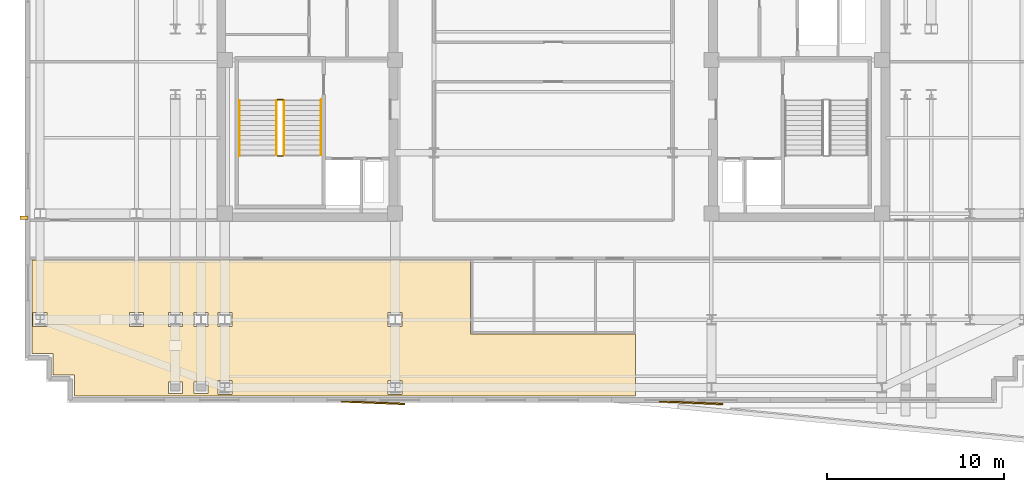
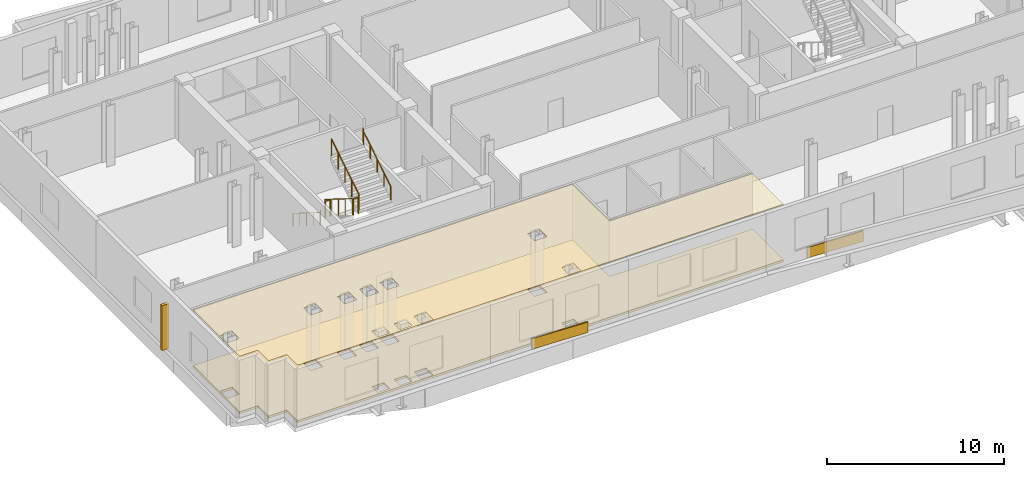
# One storey, part 9 of 11: 6 railings, 4 coverings, 1 shading device.
"""IFC4 building model written with IfcOpenShell, lengths in metres."""

from ifc_helpers import new_model, si_unit, direction, frame, origin, origin_2d, place, context, subcontext, project, spatial, polyline, rectangle, circle, outline, extrude, material, layer, layer_set, type_object, element, save


model = new_model("IFC4")

# Units and contexts
model_context = context("Model", 3, precision=1e-05, world=origin(), true_north=direction((0.0, 1.0)))
body_context = subcontext(model_context, "Body", "Model", "MODEL_VIEW")
ifc_project = project(units=[si_unit("LENGTHUNIT", "METRE"), si_unit("AREAUNIT", "SQUARE_METRE"), si_unit("VOLUMEUNIT", "CUBIC_METRE"), si_unit("PLANEANGLEUNIT", "RADIAN"), si_unit("MASSUNIT", "GRAM", prefix="KILO")], contexts=[model_context])

# Site, building, storey
site_placement = place(None, origin())
site = spatial("IfcSite", under=ifc_project, at=site_placement, CompositionType="ELEMENT")
building_placement = place(site_placement, origin())
building = spatial("IfcBuilding", under=site, at=building_placement, Name="Velakula Bourse", CompositionType="ELEMENT")
storey_placement = place(building_placement, frame((0.0, 0.0, 204.300048828125)))
storey = spatial("IfcBuildingStorey", under=building, at=storey_placement, Name="L55", CompositionType="ELEMENT", Elevation=204.300048828125)

# Coverings
ifc_material_1 = material(Name="Red kilned clay facing brick masonry", Category="masonry")
ifc_layer_1 = layer(ifc_material_1, 0.090087890625, Name="Red kilned clay facing brick masonry", Category="masonry")
ifc_layer_set_1 = layer_set([ifc_layer_1], Name="Red kilned clay facing brick masonry")
covering_type_1 = type_object("IfcCoveringType", Name="COV-BRK-FOLD-90", PredefinedType="CLADDING", material=ifc_layer_set_1)
for number, where, z_axis, x_axis, name in (
    (1, (-10.199951171875, -19.300048828125, 0.0), (0.0, 0.0, 1.0), (0.999158993058, -0.041003738744, 0.0), "L55 Folded Brick Facade Cladding Panel S-B2"),
    (2, (7.800048828125, -19.300048828125, 0.0), (0.0, 0.0, 1.0), (0.999158993058, -0.041003738744, 0.0), "L55 Folded Brick Facade Cladding Panel S-B4"),
):
    element("IfcCovering", number, at=place(storey_placement, frame(where, z_axis=z_axis, x_axis=x_axis)), inside=storey, type_object=covering_type_1, Name=name, PredefinedType="CLADDING", context=body_context, shape_type="SweptSolid", body=[
        extrude(rectangle(XDim=3.60009765625, YDim=0.090087890625, at=origin_2d()), origin(), (0.0, 0.0, 1.0), 0.719970703125),
    ])
ifc_material_2 = material(Name="Mineral-fibre acoustic suspended ceiling tile", Category="mineral")
ifc_layer_2 = layer(ifc_material_2, 0.0400390625, Name="Mineral-fibre acoustic suspended ceiling tile", Category="mineral")
ifc_layer_set_2 = layer_set([ifc_layer_2], Name="Mineral-fibre acoustic suspended ceiling tile")
covering_type_2 = type_object("IfcCoveringType", Name="COV-CEIL-AC-40", PredefinedType="CEILING", material=ifc_layer_set_2)
covering_1_placement = place(storey_placement, frame((0.0, 0.0, 3.949951171875)))
element("IfcCovering", 3, at=covering_1_placement, inside=storey, type_object=covering_type_2, Name="L55 Economic Reference Library Acoustic Suspended Ceiling", PredefinedType="CEILING", context=body_context, shape_type="SweptSolid", body=[
    extrude(outline(polyline([(-4.699951171875, -15.419921875), (4.659912109375, -15.419921875), (4.659912109375, -18.919921875), (-27.1201171875, -18.919921875), (-27.1201171875, -17.719970703125), (-28.320068359375, -17.719970703125), (-28.320068359375, -16.52001953125), (-29.52001953125, -16.52001953125), (-29.52001953125, -11.22998046875), (-4.699951171875, -11.22998046875), (-4.699951171875, -15.419921875)]), holes=[polyline([(-20.344970703125, -18.77001953125), (-19.554931640625, -18.77001953125), (-19.554931640625, -18.1298828125), (-20.344970703125, -18.1298828125), (-20.344970703125, -18.77001953125)]), polyline([(-21.794921875, -18.77001953125), (-21.0048828125, -18.77001953125), (-21.0048828125, -18.1298828125), (-21.794921875, -18.1298828125), (-21.794921875, -18.77001953125)]), polyline([(-18.9951171875, -14.9951171875), (-18.205078125, -14.9951171875), (-18.205078125, -14.205078125), (-18.9951171875, -14.205078125), (-18.9951171875, -14.9951171875)]), polyline([(-29.445068359375, -14.9951171875), (-28.655029296875, -14.9951171875), (-28.655029296875, -14.205078125), (-29.445068359375, -14.205078125), (-29.445068359375, -14.9951171875)]), polyline([(-23.9951171875, -14.9951171875), (-23.205078125, -14.9951171875), (-23.205078125, -14.205078125), (-23.9951171875, -14.205078125), (-23.9951171875, -14.9951171875)]), polyline([(-20.344970703125, -14.9951171875), (-19.554931640625, -14.9951171875), (-19.554931640625, -14.205078125), (-20.344970703125, -14.205078125), (-20.344970703125, -14.9951171875)]), polyline([(-21.794921875, -14.9951171875), (-21.0048828125, -14.9951171875), (-21.0048828125, -14.205078125), (-21.794921875, -14.205078125), (-21.794921875, -14.9951171875)]), polyline([(-18.9951171875, -18.844970703125), (-18.205078125, -18.844970703125), (-18.205078125, -18.054931640625), (-18.9951171875, -18.054931640625), (-18.9951171875, -18.844970703125)]), polyline([(-9.344970703125, -18.054931640625), (-9.344970703125, -18.844970703125), (-8.554931640625, -18.844970703125), (-8.554931640625, -18.054931640625), (-9.344970703125, -18.054931640625)]), polyline([(-9.344970703125, -14.9951171875), (-8.554931640625, -14.9951171875), (-8.554931640625, -14.205078125), (-9.344970703125, -14.205078125), (-9.344970703125, -14.9951171875)])]), origin(), (0.0, 0.0, 1.0), 0.0400390625),
])
ifc_material_3 = material(Name="Calcium-sulphate antistatic raised access flooring", Category="gypsum")
ifc_layer_3 = layer(ifc_material_3, 0.14990234375, Name="Calcium-sulphate antistatic raised access flooring", Category="gypsum")
ifc_layer_set_3 = layer_set([ifc_layer_3], Name="Calcium-sulphate antistatic raised access flooring")
covering_type_3 = type_object("IfcCoveringType", Name="COV-FLR-RAISED-150", PredefinedType="FLOORING", material=ifc_layer_set_3)
covering_2_placement = place(storey_placement, origin())
element("IfcCovering", 4, at=covering_2_placement, inside=storey, type_object=covering_type_3, Name="L55 Economic Reference Library Raised Trading Access Floor", PredefinedType="FLOORING", context=body_context, shape_type="SweptSolid", body=[
    extrude(outline(polyline([(-4.699951171875, -15.419921875), (4.659912109375, -15.419921875), (4.659912109375, -18.919921875), (-27.1201171875, -18.919921875), (-27.1201171875, -17.719970703125), (-28.320068359375, -17.719970703125), (-28.320068359375, -16.52001953125), (-29.52001953125, -16.52001953125), (-29.52001953125, -11.22998046875), (-4.699951171875, -11.22998046875), (-4.699951171875, -15.419921875)]), holes=[polyline([(-20.344970703125, -18.77001953125), (-19.554931640625, -18.77001953125), (-19.554931640625, -18.1298828125), (-20.344970703125, -18.1298828125), (-20.344970703125, -18.77001953125)]), polyline([(-21.794921875, -18.77001953125), (-21.0048828125, -18.77001953125), (-21.0048828125, -18.1298828125), (-21.794921875, -18.1298828125), (-21.794921875, -18.77001953125)]), polyline([(-18.9951171875, -14.9951171875), (-18.205078125, -14.9951171875), (-18.205078125, -14.205078125), (-18.9951171875, -14.205078125), (-18.9951171875, -14.9951171875)]), polyline([(-29.445068359375, -14.9951171875), (-28.655029296875, -14.9951171875), (-28.655029296875, -14.205078125), (-29.445068359375, -14.205078125), (-29.445068359375, -14.9951171875)]), polyline([(-23.9951171875, -14.9951171875), (-23.205078125, -14.9951171875), (-23.205078125, -14.205078125), (-23.9951171875, -14.205078125), (-23.9951171875, -14.9951171875)]), polyline([(-20.344970703125, -14.9951171875), (-19.554931640625, -14.9951171875), (-19.554931640625, -14.205078125), (-20.344970703125, -14.205078125), (-20.344970703125, -14.9951171875)]), polyline([(-21.794921875, -14.9951171875), (-21.0048828125, -14.9951171875), (-21.0048828125, -14.205078125), (-21.794921875, -14.205078125), (-21.794921875, -14.9951171875)]), polyline([(-18.9951171875, -18.844970703125), (-18.205078125, -18.844970703125), (-18.205078125, -18.054931640625), (-18.9951171875, -18.054931640625), (-18.9951171875, -18.844970703125)]), polyline([(-9.344970703125, -18.054931640625), (-9.344970703125, -18.844970703125), (-8.554931640625, -18.844970703125), (-8.554931640625, -18.054931640625), (-9.344970703125, -18.054931640625)]), polyline([(-9.344970703125, -14.9951171875), (-8.554931640625, -14.9951171875), (-8.554931640625, -14.205078125), (-9.344970703125, -14.205078125), (-9.344970703125, -14.9951171875)])]), origin(), (0.0, 0.0, 1.0), 0.14990234375),
])

# Railings
ifc_material_4 = material(Name="Brushed grade 316 stainless steel", Category="steel")
railing_type_1 = type_object("IfcRailingType", Name="RLG-STAIR-GUARD-1150", PredefinedType="BALUSTRADE", material=ifc_material_4)
railing_1_placement = place(storey_placement, frame((-15.672119140625, -2.199951171875, 0.175048828125)))
element("IfcRailing", 5, at=railing_1_placement, inside=storey, type_object=railing_type_1, Name="L55 ST-W1 stair guard 1", PredefinedType="BALUSTRADE", context=body_context, shape_type="SweptSolid", body=[
    extrude(circle(Radius=0.02490234375, at=origin_2d()), frame((0.0, 0.0, 1.125), z_axis=(0.0, -0.848028513186, 0.529950602248), x_axis=(1.0, 0.0, 0.0)), (0.0, 0.0, 1.0), 3.632080078125),
    extrude(circle(Radius=0.02099609375, at=origin_2d()), origin(), (0.0, 0.0, 1.0), 1.099853515625),
    extrude(circle(Radius=0.02099609375, at=origin_2d()), frame((0.0, -0.77001953125, 0.481201171875)), (0.0, 0.0, 1.0), 1.099853515625),
    extrude(circle(Radius=0.02099609375, at=origin_2d()), frame((0.0, -1.5400390625, 0.96240234375)), (0.0, 0.0, 1.0), 1.099853515625),
    extrude(circle(Radius=0.02099609375, at=origin_2d()), frame((0.0, -2.31005859375, 1.443603515625)), (0.0, 0.0, 1.0), 1.099853515625),
    extrude(circle(Radius=0.02099609375, at=origin_2d()), frame((0.0, -3.080078125, 1.9248046875)), (0.0, 0.0, 1.0), 1.099853515625),
])
railing_2_placement = place(storey_placement, frame((-15.6220703125, -5.330078125, 2.099853515625)))
element("IfcRailing", 6, at=railing_2_placement, inside=storey, type_object=railing_type_1, Name="L55 ST-W1 stair guard 2", PredefinedType="BALUSTRADE", context=body_context, shape_type="SweptSolid", body=[
    extrude(circle(Radius=0.02490234375, at=origin_2d()), frame((0.0, 0.0, 1.125), z_axis=(1.0, 0.0, 0.0), x_axis=(0.0, 1.0, 0.0)), (0.0, 0.0, 1.0), 0.323974609375),
    extrude(circle(Radius=0.02099609375, at=origin_2d()), origin(), (0.0, 0.0, 1.0), 1.099853515625),
    extrude(circle(Radius=0.02099609375, at=origin_2d()), frame((0.323974609375, 0.0, 0.0)), (0.0, 0.0, 1.0), 1.099853515625),
])
railing_3_placement = place(storey_placement, frame((-15.248046875, -5.280029296875, 2.27490234375)))
element("IfcRailing", 7, at=railing_3_placement, inside=storey, type_object=railing_type_1, Name="L55 ST-W1 stair guard 3", PredefinedType="BALUSTRADE", context=body_context, shape_type="SweptSolid", body=[
    extrude(circle(Radius=0.02490234375, at=origin_2d()), frame((0.0, 0.0, 1.125), z_axis=(0.0, 0.847998304005, 0.529998940003), x_axis=(-1.0, 0.0, 0.0)), (0.0, 0.0, 1.0), 3.632080078125),
    extrude(circle(Radius=0.02099609375, at=origin_2d()), origin(), (0.0, 0.0, 1.0), 1.099853515625),
    extrude(circle(Radius=0.02099609375, at=origin_2d()), frame((0.0, 0.77001953125, 0.481201171875)), (0.0, 0.0, 1.0), 1.099853515625),
    extrude(circle(Radius=0.02099609375, at=origin_2d()), frame((0.0, 1.5400390625, 0.96240234375)), (0.0, 0.0, 1.0), 1.099853515625),
    extrude(circle(Radius=0.02099609375, at=origin_2d()), frame((0.0, 2.31005859375, 1.44384765625)), (0.0, 0.0, 1.0), 1.099853515625),
    extrude(circle(Radius=0.02099609375, at=origin_2d()), frame((0.0, 3.080078125, 1.925048828125)), (0.0, 0.0, 1.0), 1.099853515625),
])
railing_4_placement = place(storey_placement, frame((-15.6220703125, -2.14990234375, 0.0)))
element("IfcRailing", 8, at=railing_4_placement, inside=storey, type_object=railing_type_1, Name="L55 ST-W1 stair guard 4", PredefinedType="BALUSTRADE", context=body_context, shape_type="SweptSolid", body=[
    extrude(circle(Radius=0.02490234375, at=origin_2d()), frame((0.0, 0.0, 1.125), z_axis=(1.0, 0.0, 0.0), x_axis=(0.0, 1.0, 0.0)), (0.0, 0.0, 1.0), 0.323974609375),
    extrude(circle(Radius=0.02099609375, at=origin_2d()), origin(), (0.0, 0.0, 1.0), 1.099853515625),
    extrude(circle(Radius=0.02099609375, at=origin_2d()), frame((0.323974609375, 0.0, 0.0)), (0.0, 0.0, 1.0), 1.099853515625),
])
railing_type_2 = type_object("IfcRailingType", Name="RLG-STAIR-HAND-920", PredefinedType="HANDRAIL", material=ifc_material_4)
railing_5_placement = place(storey_placement, frame((-17.77001953125, -2.199951171875, 0.175048828125)))
element("IfcRailing", 9, at=railing_5_placement, inside=storey, type_object=railing_type_2, Name="L55 ST-W1 stair handrail 1", PredefinedType="HANDRAIL", context=body_context, shape_type="SweptSolid", body=[
    extrude(circle(Radius=0.02099609375, at=origin_2d()), frame((0.0, 0.0, 0.89892578125), z_axis=(0.0, -0.848028513186, 0.529950602248), x_axis=(1.0, 0.0, 0.0)), (0.0, 0.0, 1.0), 3.632080078125),
    extrude(circle(Radius=0.02099609375, at=origin_2d()), frame((0.0, -3.080078125, 2.82373046875), z_axis=(0.0, -0.222972465624, 0.974824743004), x_axis=(1.0, 0.0, 0.0)), (0.0, 0.0, 1.0), 0.1796875),
    extrude(circle(Radius=0.02099609375, at=origin_2d()), frame((0.0, -3.1201171875, 2.998779296875), z_axis=(0.0, -1.0, 0.0), x_axis=(1.0, 0.0, 0.0)), (0.0, 0.0, 1.0), 0.0048828125),
    extrude(circle(Radius=0.02099609375, at=origin_2d()), origin(), (0.0, 0.0, 1.0), 0.8779296875),
    extrude(circle(Radius=0.02099609375, at=origin_2d()), frame((0.0, -0.77001953125, 0.481201171875)), (0.0, 0.0, 1.0), 0.8779296875),
    extrude(circle(Radius=0.02099609375, at=origin_2d()), frame((0.0, -1.5400390625, 0.96240234375)), (0.0, 0.0, 1.0), 0.8779296875),
    extrude(circle(Radius=0.02099609375, at=origin_2d()), frame((0.0, -2.31005859375, 1.443603515625)), (0.0, 0.0, 1.0), 0.8779296875),
    extrude(circle(Radius=0.02099609375, at=origin_2d()), frame((0.0, -3.080078125, 1.9248046875)), (0.0, 0.0, 1.0), 0.8779296875),
    extrude(circle(Radius=0.02099609375, at=origin_2d()), frame((0.0, -3.1201171875, 2.099853515625)), (0.0, 0.0, 1.0), 0.8779296875),
    extrude(circle(Radius=0.02099609375, at=origin_2d()), frame((0.0, -3.125, 2.099853515625)), (0.0, 0.0, 1.0), 0.8779296875),
])
railing_6_placement = place(storey_placement, frame((-13.14990234375, -5.280029296875, 2.27490234375)))
element("IfcRailing", 10, at=railing_6_placement, inside=storey, type_object=railing_type_2, Name="L55 ST-W1 stair handrail 2", PredefinedType="HANDRAIL", context=body_context, shape_type="SweptSolid", body=[
    extrude(circle(Radius=0.02099609375, at=origin_2d()), frame((0.0, 0.0, 0.89892578125), z_axis=(0.0, 0.847998304005, 0.529998940003), x_axis=(-1.0, 0.0, 0.0)), (0.0, 0.0, 1.0), 3.632080078125),
    extrude(circle(Radius=0.02099609375, at=origin_2d()), frame((0.0, 3.080078125, 2.823974609375), z_axis=(0.0, 0.222972465624, 0.974824743004), x_axis=(-1.0, 0.0, 0.0)), (0.0, 0.0, 1.0), 0.1796875),
    extrude(circle(Radius=0.02099609375, at=origin_2d()), frame((0.0, 3.1201171875, 2.9990234375), z_axis=(0.0, 1.0, 0.0), x_axis=(-1.0, 0.0, 0.0)), (0.0, 0.0, 1.0), 0.0048828125),
    extrude(circle(Radius=0.02099609375, at=origin_2d()), origin(), (0.0, 0.0, 1.0), 0.8779296875),
    extrude(circle(Radius=0.02099609375, at=origin_2d()), frame((0.0, 0.77001953125, 0.481201171875)), (0.0, 0.0, 1.0), 0.8779296875),
    extrude(circle(Radius=0.02099609375, at=origin_2d()), frame((0.0, 1.5400390625, 0.96240234375)), (0.0, 0.0, 1.0), 0.8779296875),
    extrude(circle(Radius=0.02099609375, at=origin_2d()), frame((0.0, 2.31005859375, 1.44384765625)), (0.0, 0.0, 1.0), 0.8779296875),
    extrude(circle(Radius=0.02099609375, at=origin_2d()), frame((0.0, 3.080078125, 1.925048828125)), (0.0, 0.0, 1.0), 0.8779296875),
    extrude(circle(Radius=0.02099609375, at=origin_2d()), frame((0.0, 3.1201171875, 2.10009765625)), (0.0, 0.0, 1.0), 0.8779296875),
    extrude(circle(Radius=0.02099609375, at=origin_2d()), frame((0.0, 3.125, 2.10009765625)), (0.0, 0.0, 1.0), 0.8779296875),
])

# Shading device
ifc_material_5 = material(Name="Anodised bronze architectural aluminium", Category="aluminium")
shading_device_type = type_object("IfcShadingDeviceType", Name="SHD-FIN-450", PredefinedType="USERDEFINED", material=ifc_material_5)
shading_device_placement = place(storey_placement, frame((-29.969970703125, -8.824951171875, 0.0), z_axis=(0.0, 0.0, 1.0), x_axis=(1.0, 0.0, 0.0)))
element("IfcShadingDevice", 11, at=shading_device_placement, inside=storey, type_object=shading_device_type, Name="L55 Vertical Bronze Solar Shading Fin W", ObjectType="FIN", PredefinedType="USERDEFINED", context=body_context, shape_type="SweptSolid", body=[
    extrude(rectangle(XDim=0.449951171875, YDim=0.179931640625, at=origin_2d()), origin(), (0.0, 0.0, 1.0), 3.10009765625),
])

save(model, "model.ifc")
